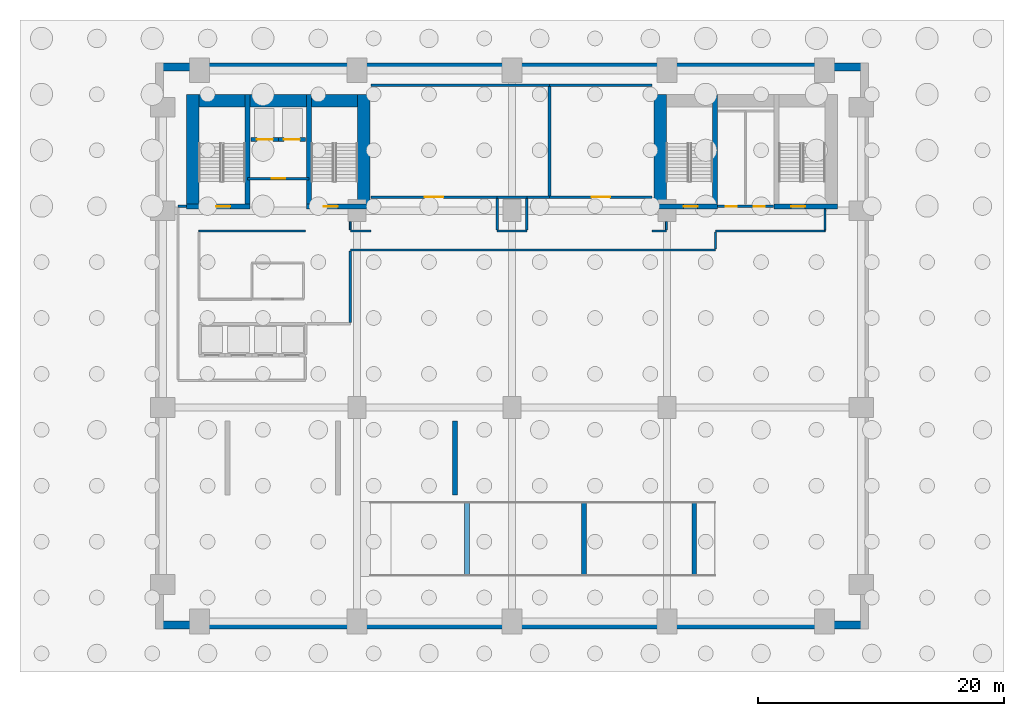
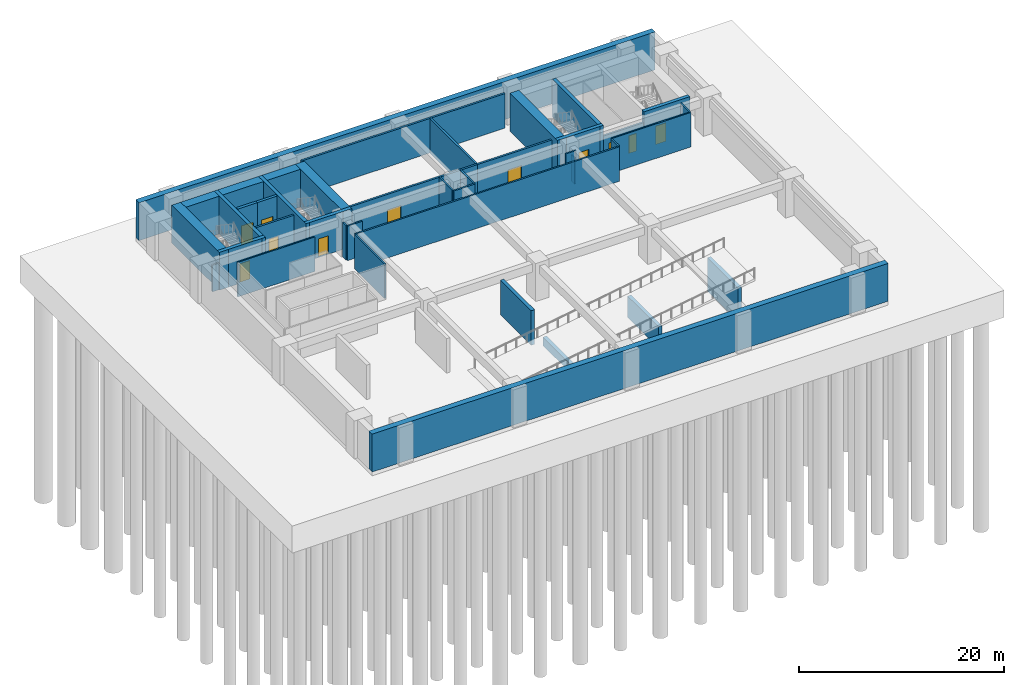
# One storey, part 3 of 8: 42 walls, 11 doors, 11 openings.
"""IFC4 building model written with IfcOpenShell, lengths in metres."""

from ifc_helpers import new_model, si_unit, direction, frame, frame_2d, origin, place, context, subcontext, project, spatial, rectangle, extrude, material, layer, layer_set, type_object, element, fill, save


model = new_model("IFC4")

# Units and contexts
model_context = context("Model", 3, precision=1e-05, world=origin(), true_north=direction((0.0, 1.0)))
body_context = subcontext(model_context, "Body", "Model", "MODEL_VIEW")
ifc_project = project(units=[si_unit("LENGTHUNIT", "METRE"), si_unit("AREAUNIT", "SQUARE_METRE"), si_unit("VOLUMEUNIT", "CUBIC_METRE"), si_unit("PLANEANGLEUNIT", "RADIAN"), si_unit("MASSUNIT", "GRAM", prefix="KILO")], contexts=[model_context])

# Site, building, storey
site_placement = place(None, origin())
site = spatial("IfcSite", under=ifc_project, at=site_placement, CompositionType="ELEMENT")
building_placement = place(site_placement, origin())
building = spatial("IfcBuilding", under=site, at=building_placement, Name="Sulina Concourse Tower", CompositionType="ELEMENT")
storey_placement = place(building_placement, frame((0.0, 0.0, -9.0)))
storey = spatial("IfcBuildingStorey", under=building, at=storey_placement, Name="B2", CompositionType="ELEMENT", Elevation=-9.0)

# Walls
ifc_material_1 = material(Name="Concrete C50/60", Category="concrete")
ifc_layer_1 = layer(ifc_material_1, 0.64990234375)
ifc_layer_set_1 = layer_set([ifc_layer_1], Name="Concrete C50/60")
wall_type_1 = type_object("IfcWallType", Name="Basement Perimeter Retaining Wall 650mm", PredefinedType="SOLIDWALL", material=ifc_layer_set_1)
for number, where, z_axis, x_axis, name in (
    (1, (58.0, 0.324951171875, 0.0), (0.0, 0.0, 1.0), (-1.0, 0.0, 0.0), "B2 basement retaining wall RW-S"),
    (2, (0.0, 45.675048828125, 0.0), (0.0, 0.0, 1.0), (1.0, 0.0, 0.0), "B2 basement retaining wall RW-N"),
):
    element("IfcWall", number, at=place(storey_placement, frame(where, z_axis=z_axis, x_axis=x_axis)), inside=storey, type_object=wall_type_1, Name=name, PredefinedType="SOLIDWALL", context=body_context, shape_type="SweptSolid", body=[
        extrude(rectangle(XDim=58.0, YDim=0.64990234375, at=frame_2d((29.0, 0.0))), origin(), (0.0, 0.0, 1.0), 4.5),
    ])

# Wall, opening, door
ifc_material_2 = material(Name="Concrete C50/60", Category="concrete")
ifc_layer_2 = layer(ifc_material_2, 0.300048828125)
ifc_layer_set_2 = layer_set([ifc_layer_2], Name="Concrete C50/60")
wall_type_2 = type_object("IfcWallType", Name="Core Lift Hoistway Wall 300mm", PredefinedType="SOLIDWALL", material=ifc_layer_set_2)
wall_1_placement = place(storey_placement, frame((10.0, 39.780029296875, 0.0), z_axis=(0.0, 0.0, 1.0), x_axis=(-1.0, 0.0, 0.0)))
wall_1 = element("IfcWall", 3, at=wall_1_placement, inside=storey, type_object=wall_type_2, Name="B2 hoistway enclosure wall FFL-1", PredefinedType="SOLIDWALL", context=body_context, shape_type="SweptSolid", body=[
    extrude(rectangle(XDim=2.199951171875, YDim=0.300048828125, at=frame_2d((1.10009765625, 0.0))), origin(), (0.0, 0.0, 1.0), 4.5),
])
opening_1_placement = place(wall_1_placement, frame((0.449951171875, 0.0, 0.0)))
opening_1 = element("IfcOpeningElement", 4, at=opening_1_placement, cuts=wall_1, Name="Opening LD-02", PredefinedType="OPENING", context=body_context, shape_type="SweptSolid", body=[
    extrude(rectangle(XDim=1.300048828125, YDim=2.25, at=frame_2d((0.64990234375, 1.125))), frame((0.0, 0.159912109375, 0.0), z_axis=(0.0, -1.0, 0.0), x_axis=(1.0, 0.0, 0.0)), (0.0, 0.0, 1.0), 0.320068359375),
])
ifc_material_3 = material(Name="Stainless steel lift landing door", Category="steel")
ifc_layer_3 = layer(ifc_material_3, 0.050048828125)
ifc_layer_set_3 = layer_set([ifc_layer_3], Name="Stainless steel lift landing door")
door_type_1 = type_object("IfcDoorType", Name="Firefighting Lift Sliding Landing Door 1300x2250", OperationType="SLIDING_TO_RIGHT", PredefinedType="DOOR", material=ifc_layer_set_3)
door_1_placement = place(opening_1_placement, origin())
door_1 = element("IfcDoor", 5, at=door_1_placement, inside=storey, type_object=door_type_1, Name="B2 lift landing sliding door FFL-1", OperationType="SLIDING_TO_LEFT", OverallHeight=2.25, OverallWidth=1.300048828125, PredefinedType="DOOR", context=body_context, shape_type="SweptSolid", body=[
    extrude(rectangle(XDim=1.300048828125, YDim=2.25, at=frame_2d((0.64990234375, 1.125))), frame((0.0, 0.02490234375, 0.0), z_axis=(0.0, -1.0, 0.0), x_axis=(1.0, 0.0, 0.0)), (0.0, 0.0, 1.0), 0.050048828125),
])
fill(opening_1, door_1)

wall_2_placement = place(storey_placement, frame((12.199951171875, 39.780029296875, 0.0), z_axis=(0.0, 0.0, 1.0), x_axis=(-1.0, 0.0, 0.0)))
wall_2 = element("IfcWall", 6, at=wall_2_placement, inside=storey, type_object=wall_type_2, Name="B2 hoistway enclosure wall FFL-2", PredefinedType="SOLIDWALL", context=body_context, shape_type="SweptSolid", body=[
    extrude(rectangle(XDim=2.199951171875, YDim=0.300048828125, at=frame_2d((1.10009765625, 0.0))), origin(), (0.0, 0.0, 1.0), 4.5),
])
opening_2_placement = place(wall_2_placement, frame((0.449951171875, 0.0, 0.0)))
opening_2 = element("IfcOpeningElement", 7, at=opening_2_placement, cuts=wall_2, Name="Opening LD-02", PredefinedType="OPENING", context=body_context, shape_type="SweptSolid", body=[
    extrude(rectangle(XDim=1.300048828125, YDim=2.25, at=frame_2d((0.64990234375, 1.125))), frame((0.0, 0.159912109375, 0.0), z_axis=(0.0, -1.0, 0.0), x_axis=(1.0, 0.0, 0.0)), (0.0, 0.0, 1.0), 0.320068359375),
])
door_2_placement = place(opening_2_placement, origin())
door_2 = element("IfcDoor", 8, at=door_2_placement, inside=storey, type_object=door_type_1, Name="B2 lift landing sliding door FFL-2", OperationType="SLIDING_TO_RIGHT", OverallHeight=2.25, OverallWidth=1.300048828125, PredefinedType="DOOR", context=body_context, shape_type="SweptSolid", body=[
    extrude(rectangle(XDim=1.300048828125, YDim=2.25, at=frame_2d((0.64990234375, 1.125))), frame((0.0, 0.02490234375, 0.0), z_axis=(0.0, -1.0, 0.0), x_axis=(1.0, 0.0, 0.0)), (0.0, 0.0, 1.0), 0.050048828125),
])
fill(opening_2, door_2)

ifc_material_4 = material(Name="Gypsum board on steel stud", Category="steel")
ifc_layer_4 = layer(ifc_material_4, 0.219970703125)
ifc_layer_set_4 = layer_set([ifc_layer_4], Name="Gypsum board on steel stud")
wall_type_3 = type_object("IfcWallType", Name="Fire-Rated Lobby & Compartment Wall 220mm", PredefinedType="PARTITIONING", material=ifc_layer_set_4)
wall_3_placement = place(storey_placement, frame((7.510009765625, 36.60009765625, 0.0), z_axis=(0.0, 0.0, 1.0), x_axis=(1.0, 0.0, 0.0)))
wall_3 = element("IfcWall", 9, at=wall_3_placement, inside=storey, type_object=wall_type_3, Name="B2 firefighting lobby south fire wall", PredefinedType="PARTITIONING", context=body_context, shape_type="SweptSolid", body=[
    extrude(rectangle(XDim=4.97998046875, YDim=0.219970703125, at=frame_2d((2.489990234375, 0.0))), origin(), (0.0, 0.0, 1.0), 4.10009765625),
])
opening_3_placement = place(wall_3_placement, frame((1.93994140625, 0.0, 0.0)))
opening_3 = element("IfcOpeningElement", 10, at=opening_3_placement, cuts=wall_3, Name="Opening DR-47", PredefinedType="OPENING", context=body_context, shape_type="SweptSolid", body=[
    extrude(rectangle(XDim=1.10009765625, YDim=2.199951171875, at=frame_2d((0.550048828125, 1.10009765625))), frame((0.0, 0.119873046875, 0.0), z_axis=(0.0, -1.0, 0.0), x_axis=(1.0, 0.0, 0.0)), (0.0, 0.0, 1.0), 0.239990234375),
])
ifc_material_5 = material(Name="Galvanised steel acoustic fire leaf", Category="steel")
ifc_layer_5 = layer(ifc_material_5, 0.054931640625)
ifc_layer_set_5 = layer_set([ifc_layer_5], Name="Galvanised steel acoustic fire leaf")
door_type_2 = type_object("IfcDoorType", Name="Firefighting Lobby Fire Door 1100x2200", OperationType="NOTDEFINED", PredefinedType="DOOR", material=ifc_layer_set_5)
door_3_placement = place(opening_3_placement, origin())
door_3 = element("IfcDoor", 11, at=door_3_placement, inside=storey, type_object=door_type_2, Name="B2 firefighting lobby fire door", OperationType="SINGLE_SWING_LEFT", OverallHeight=2.199951171875, OverallWidth=1.10009765625, PredefinedType="DOOR", context=body_context, shape_type="SweptSolid", body=[
    extrude(rectangle(XDim=1.10009765625, YDim=2.199951171875, at=frame_2d((0.550048828125, 1.10009765625))), frame((0.0, 0.02490234375, 0.0), z_axis=(0.0, -1.0, 0.0), x_axis=(1.0, 0.0, 0.0)), (0.0, 0.0, 1.0), 0.050048828125),
])
fill(opening_3, door_3)

# Wall, openings, doors
wall_4_placement = place(storey_placement, frame((45.719970703125, 34.35009765625, 0.0), z_axis=(0.0, 0.0, 1.0), x_axis=(1.0, 0.0, 0.0)))
wall_4 = element("IfcWall", 12, at=wall_4_placement, inside=storey, type_object=wall_type_3, Name="B2 east core south lobby wall", PredefinedType="PARTITIONING", context=body_context, shape_type="SweptSolid", body=[
    extrude(rectangle(XDim=4.56005859375, YDim=0.219970703125, at=frame_2d((2.280029296875, 0.0))), origin(), (0.0, 0.0, 1.0), 3.14501953125),
])
opening_4_placement = place(wall_4_placement, frame((0.64990234375, 0.0, 0.0)))
opening_4 = element("IfcOpeningElement", 13, at=opening_4_placement, cuts=wall_4, Name="Opening DR-61", PredefinedType="OPENING", context=body_context, shape_type="SweptSolid", body=[
    extrude(rectangle(XDim=0.919921875, YDim=2.10009765625, at=frame_2d((0.4599609375, 1.050048828125))), frame((0.0, 0.119873046875, 0.0), z_axis=(0.0, -1.0, 0.0), x_axis=(1.0, 0.0, 0.0)), (0.0, 0.0, 1.0), 0.239990234375),
])
opening_5_placement = place(wall_4_placement, frame((2.949951171875, 0.0, 0.0)))
opening_5 = element("IfcOpeningElement", 14, at=opening_5_placement, cuts=wall_4, Name="Opening DR-38", PredefinedType="OPENING", context=body_context, shape_type="SweptSolid", body=[
    extrude(rectangle(XDim=0.8798828125, YDim=2.10009765625, at=frame_2d((0.43994140625, 1.050048828125))), frame((0.0, 0.119873046875, 0.0), z_axis=(0.0, -1.0, 0.0), x_axis=(1.0, 0.0, 0.0)), (0.0, 0.0, 1.0), 0.239990234375),
])
ifc_material_6 = material(Name="Oak-veneered fire door leaf")
ifc_layer_6 = layer(ifc_material_6, 0.050048828125)
ifc_layer_set_6 = layer_set([ifc_layer_6], Name="Oak-veneered fire door leaf")
door_type_3 = type_object("IfcDoorType", Name="Accessible WC Door 920x2100", OperationType="NOTDEFINED", PredefinedType="DOOR", material=ifc_layer_set_6)
door_4_placement = place(opening_4_placement, origin())
door_4 = element("IfcDoor", 15, at=door_4_placement, inside=storey, type_object=door_type_3, Name="B2 east core accessible wc door", OperationType="SINGLE_SWING_LEFT", OverallHeight=2.10009765625, OverallWidth=0.919921875, PredefinedType="DOOR", context=body_context, shape_type="SweptSolid", body=[
    extrude(rectangle(XDim=0.919921875, YDim=2.10009765625, at=frame_2d((0.4599609375, 1.050048828125))), frame((0.0, 0.02490234375, 0.0), z_axis=(0.0, -1.0, 0.0), x_axis=(1.0, 0.0, 0.0)), (0.0, 0.0, 1.0), 0.050048828125),
])
fill(opening_4, door_4)
ifc_material_7 = material(Name="Galvanised steel acoustic fire leaf", Category="steel")
ifc_layer_7 = layer(ifc_material_7, 0.050048828125)
ifc_layer_set_7 = layer_set([ifc_layer_7], Name="Galvanised steel acoustic fire leaf")
door_type_4 = type_object("IfcDoorType", Name="Service Riser Fire Door 880x2100", OperationType="NOTDEFINED", PredefinedType="DOOR", material=ifc_layer_set_7)
door_5_placement = place(opening_5_placement, origin())
door_5 = element("IfcDoor", 16, at=door_5_placement, inside=storey, type_object=door_type_4, Name="B2 east core store door", OperationType="SINGLE_SWING_RIGHT", OverallHeight=2.10009765625, OverallWidth=0.8798828125, PredefinedType="DOOR", context=body_context, shape_type="SweptSolid", body=[
    extrude(rectangle(XDim=0.8798828125, YDim=2.10009765625, at=frame_2d((0.43994140625, 1.050048828125))), frame((0.0, 0.02490234375, 0.0), z_axis=(0.0, -1.0, 0.0), x_axis=(1.0, 0.0, 0.0)), (0.0, 0.0, 1.0), 0.050048828125),
])
fill(opening_5, door_5)

# Wall, opening, door
wall_5_placement = place(storey_placement, frame((17.550048828125, 35.10009765625, 0.0), z_axis=(0.0, 0.0, 1.0), x_axis=(1.0, 0.0, 0.0)))
wall_5 = element("IfcWall", 17, at=wall_5_placement, inside=storey, type_object=wall_type_3, Name="B2 interior partition 014", PredefinedType="PARTITIONING", context=body_context, shape_type="SweptSolid", body=[
    extrude(rectangle(XDim=10.25, YDim=0.219970703125, at=frame_2d((5.125, 0.0))), origin(), (0.0, 0.0, 1.0), 4.10009765625),
])
opening_6_placement = place(wall_5_placement, frame((4.375, 0.0, 0.0)))
opening_6 = element("IfcOpeningElement", 18, at=opening_6_placement, cuts=wall_5, Name="Opening DR-80", PredefinedType="OPENING", context=body_context, shape_type="SweptSolid", body=[
    extrude(rectangle(XDim=1.5, YDim=2.25, at=frame_2d((0.75, 1.125))), frame((0.0, 0.119873046875, 0.0), z_axis=(0.0, -1.0, 0.0), x_axis=(1.0, 0.0, 0.0)), (0.0, 0.0, 1.0), 0.239990234375),
])
ifc_material_8 = material(Name="Galvanised steel acoustic fire leaf", Category="steel")
ifc_layer_8 = layer(ifc_material_8, 0.054931640625)
ifc_layer_set_8 = layer_set([ifc_layer_8], Name="Galvanised steel acoustic fire leaf")
door_type_5 = type_object("IfcDoorType", Name="Mechanical Plant Double Fire Door 1500x2250", OperationType="DOUBLE_DOOR_SINGLE_SWING", PredefinedType="DOOR", material=ifc_layer_set_8)
door_6_placement = place(opening_6_placement, origin())
door_6 = element("IfcDoor", 19, at=door_6_placement, inside=storey, type_object=door_type_5, Name="B2 interior door B2-PLT-WT", OperationType="DOUBLE_DOOR_SINGLE_SWING", OverallHeight=2.25, OverallWidth=1.5, PredefinedType="DOOR", context=body_context, shape_type="SweptSolid", body=[
    extrude(rectangle(XDim=1.5, YDim=2.25, at=frame_2d((0.75, 1.125))), frame((0.0, 0.02490234375, 0.0), z_axis=(0.0, -1.0, 0.0), x_axis=(1.0, 0.0, 0.0)), (0.0, 0.0, 1.0), 0.050048828125),
])
fill(opening_6, door_6)

# Walls
wall_6_placement = place(storey_placement, frame((27.800048828125, 35.10009765625, 0.0), z_axis=(0.0, 0.0, 1.0), x_axis=(1.0, 0.0, 0.0)))
element("IfcWall", 20, at=wall_6_placement, inside=storey, type_object=wall_type_3, Name="B2 interior partition 015", PredefinedType="PARTITIONING", context=body_context, shape_type="SweptSolid", body=[
    extrude(rectangle(XDim=2.39990234375, YDim=0.219970703125, at=frame_2d((1.199951171875, 0.0))), origin(), (0.0, 0.0, 1.0), 4.10009765625),
])
wall_7_placement = place(storey_placement, frame((30.199951171875, 35.10009765625, 0.0), z_axis=(0.0, 0.0, 1.0), x_axis=(1.0, 0.0, 0.0)))
element("IfcWall", 21, at=wall_7_placement, inside=storey, type_object=wall_type_3, Name="B2 interior partition 016", PredefinedType="PARTITIONING", context=body_context, shape_type="SweptSolid", body=[
    extrude(rectangle(XDim=1.85009765625, YDim=0.219970703125, at=frame_2d((0.925048828125, 0.0))), origin(), (0.0, 0.0, 1.0), 4.10009765625),
])

# Wall, opening, door
wall_8_placement = place(storey_placement, frame((32.050048828125, 35.10009765625, 0.0), z_axis=(0.0, 0.0, 1.0), x_axis=(1.0, 0.0, 0.0)))
wall_8 = element("IfcWall", 22, at=wall_8_placement, inside=storey, type_object=wall_type_3, Name="B2 interior partition 017", PredefinedType="PARTITIONING", context=body_context, shape_type="SweptSolid", body=[
    extrude(rectangle(XDim=8.349853515625, YDim=0.219970703125, at=frame_2d((4.1748046875, 0.0))), origin(), (0.0, 0.0, 1.0), 4.10009765625),
])
opening_7_placement = place(wall_8_placement, frame((3.425048828125, 0.0, 0.0)))
opening_7 = element("IfcOpeningElement", 23, at=opening_7_placement, cuts=wall_8, Name="Opening DR-80", PredefinedType="OPENING", context=body_context, shape_type="SweptSolid", body=[
    extrude(rectangle(XDim=1.5, YDim=2.25, at=frame_2d((0.75, 1.125))), frame((0.0, 0.119873046875, 0.0), z_axis=(0.0, -1.0, 0.0), x_axis=(1.0, 0.0, 0.0)), (0.0, 0.0, 1.0), 0.239990234375),
])
door_7_placement = place(opening_7_placement, origin())
door_7 = element("IfcDoor", 24, at=door_7_placement, inside=storey, type_object=door_type_5, Name="B2 interior door B2-PLT-PMP", OperationType="DOUBLE_DOOR_SINGLE_SWING", OverallHeight=2.25, OverallWidth=1.5, PredefinedType="DOOR", context=body_context, shape_type="SweptSolid", body=[
    extrude(rectangle(XDim=1.5, YDim=2.25, at=frame_2d((0.75, 1.125))), frame((0.0, 0.02490234375, 0.0), z_axis=(0.0, -1.0, 0.0), x_axis=(1.0, 0.0, 0.0)), (0.0, 0.0, 1.0), 0.050048828125),
])
fill(opening_7, door_7)

# Walls
wall_9_placement = place(storey_placement, frame((17.550048828125, 44.199951171875, 0.0), z_axis=(0.0, 0.0, 1.0), x_axis=(1.0, 0.0, 0.0)))
element("IfcWall", 25, at=wall_9_placement, inside=storey, type_object=wall_type_3, Name="B2 interior partition 020", PredefinedType="PARTITIONING", context=body_context, shape_type="SweptSolid", body=[
    extrude(rectangle(XDim=14.5, YDim=0.219970703125, at=frame_2d((7.25, 0.0))), origin(), (0.0, 0.0, 1.0), 4.10009765625),
])
wall_10_placement = place(storey_placement, frame((32.050048828125, 44.199951171875, 0.0), z_axis=(0.0, 0.0, 1.0), x_axis=(1.0, 0.0, 0.0)))
element("IfcWall", 26, at=wall_10_placement, inside=storey, type_object=wall_type_3, Name="B2 interior partition 021", PredefinedType="PARTITIONING", context=body_context, shape_type="SweptSolid", body=[
    extrude(rectangle(XDim=8.349853515625, YDim=0.219970703125, at=frame_2d((4.1748046875, 0.0))), origin(), (0.0, 0.0, 1.0), 4.10009765625),
])
wall_11_placement = place(storey_placement, frame((32.050048828125, 35.2099609375, 0.0), z_axis=(0.0, 0.0, 1.0), x_axis=(0.0, 1.0, 0.0)))
element("IfcWall", 27, at=wall_11_placement, inside=storey, type_object=wall_type_3, Name="B2 interior partition 031", PredefinedType="PARTITIONING", context=body_context, shape_type="SweptSolid", body=[
    extrude(rectangle(XDim=8.880126953125, YDim=0.219970703125, at=frame_2d((4.43994140625, 0.0))), origin(), (0.0, 0.0, 1.0), 4.10009765625),
])
ifc_material_9 = material(Name="Gypsum board on steel stud", Category="steel")
ifc_layer_9 = layer(ifc_material_9, 0.14990234375)
ifc_layer_set_9 = layer_set([ifc_layer_9], Name="Gypsum board on steel stud")
wall_type_4 = type_object("IfcWallType", Name="Inter-Tenancy Acoustic Partition 150mm", PredefinedType="PARTITIONING", material=ifc_layer_set_9)
wall_12_placement = place(storey_placement, frame((3.550048828125, 32.35009765625, 0.0), z_axis=(0.0, 0.0, 1.0), x_axis=(1.0, 0.0, 0.0)))
element("IfcWall", 28, at=wall_12_placement, inside=storey, type_object=wall_type_4, Name="B2 interior partition 008", PredefinedType="PARTITIONING", context=body_context, shape_type="SweptSolid", body=[
    extrude(rectangle(XDim=8.64990234375, YDim=0.14990234375, at=frame_2d((4.324951171875, 0.0))), origin(), (0.0, 0.0, 1.0), 4.10009765625),
])
wall_13_placement = place(storey_placement, frame((45.550048828125, 32.35009765625, 0.0), z_axis=(0.0, 0.0, 1.0), x_axis=(1.0, 0.0, 0.0)))
element("IfcWall", 29, at=wall_13_placement, inside=storey, type_object=wall_type_4, Name="B2 interior partition 012", PredefinedType="PARTITIONING", context=body_context, shape_type="SweptSolid", body=[
    extrude(rectangle(XDim=8.89990234375, YDim=0.14990234375, at=frame_2d((4.449951171875, 0.0))), origin(), (0.0, 0.0, 1.0), 4.10009765625),
])
wall_14_placement = place(storey_placement, frame((15.85009765625, 32.43994140625, 0.0), z_axis=(0.0, 0.0, 1.0), x_axis=(0.0, 1.0, 0.0)))
element("IfcWall", 30, at=wall_14_placement, inside=storey, type_object=wall_type_4, Name="B2 interior partition 028", PredefinedType="PARTITIONING", context=body_context, shape_type="SweptSolid", body=[
    extrude(rectangle(XDim=0.66015625, YDim=0.14990234375, at=frame_2d((0.330078125, 0.0))), origin(), (0.0, 0.0, 1.0), 4.10009765625),
])
wall_15_placement = place(storey_placement, frame((41.550048828125, 32.43994140625, 0.0), z_axis=(0.0, 0.0, 1.0), x_axis=(0.0, 1.0, 0.0)))
element("IfcWall", 31, at=wall_15_placement, inside=storey, type_object=wall_type_4, Name="B2 interior partition 032", PredefinedType="PARTITIONING", context=body_context, shape_type="SweptSolid", body=[
    extrude(rectangle(XDim=0.66015625, YDim=0.14990234375, at=frame_2d((0.330078125, 0.0))), origin(), (0.0, 0.0, 1.0), 3.14501953125),
])
wall_16_placement = place(storey_placement, frame((54.449951171875, 32.425048828125, 0.0), z_axis=(0.0, 0.0, 1.0), x_axis=(0.0, 1.0, 0.0)))
element("IfcWall", 32, at=wall_16_placement, inside=storey, type_object=wall_type_4, Name="B2 interior partition 035", PredefinedType="PARTITIONING", context=body_context, shape_type="SweptSolid", body=[
    extrude(rectangle(XDim=1.724853515625, YDim=0.14990234375, at=frame_2d((0.8623046875, 0.0))), origin(), (0.0, 0.0, 1.0), 4.10009765625),
])
ifc_material_10 = material(Name="Gypsum board on steel stud", Category="steel")
ifc_layer_10 = layer(ifc_material_10, 0.179931640625)
ifc_layer_set_10 = layer_set([ifc_layer_10], Name="Gypsum board on steel stud")
wall_type_5 = type_object("IfcWallType", Name="Protected Corridor & Riser Partition 180mm", PredefinedType="PARTITIONING", material=ifc_layer_set_10)
wall_17_placement = place(storey_placement, frame((15.85009765625, 30.800048828125, 0.0), z_axis=(0.0, 0.0, 1.0), x_axis=(1.0, 0.0, 0.0)))
element("IfcWall", 33, at=wall_17_placement, inside=storey, type_object=wall_type_5, Name="B2 interior partition 007", PredefinedType="PARTITIONING", context=body_context, shape_type="SweptSolid", body=[
    extrude(rectangle(XDim=29.699951171875, YDim=0.179931640625, at=frame_2d((14.85009765625, 0.0))), origin(), (0.0, 0.0, 1.0), 4.10009765625),
])
wall_18_placement = place(storey_placement, frame((15.85009765625, 32.35009765625, 0.0), z_axis=(0.0, 0.0, 1.0), x_axis=(1.0, 0.0, 0.0)))
element("IfcWall", 34, at=wall_18_placement, inside=storey, type_object=wall_type_5, Name="B2 interior partition 009", PredefinedType="PARTITIONING", context=body_context, shape_type="SweptSolid", body=[
    extrude(rectangle(XDim=1.699951171875, YDim=0.179931640625, at=frame_2d((0.85009765625, 0.0))), origin(), (0.0, 0.0, 1.0), 4.10009765625),
])
wall_19_placement = place(storey_placement, frame((27.800048828125, 32.35009765625, 0.0), z_axis=(0.0, 0.0, 1.0), x_axis=(1.0, 0.0, 0.0)))
element("IfcWall", 35, at=wall_19_placement, inside=storey, type_object=wall_type_5, Name="B2 interior partition 010", PredefinedType="PARTITIONING", context=body_context, shape_type="SweptSolid", body=[
    extrude(rectangle(XDim=2.39990234375, YDim=0.179931640625, at=frame_2d((1.199951171875, 0.0))), origin(), (0.0, 0.0, 1.0), 4.10009765625),
])
wall_20_placement = place(storey_placement, frame((40.39990234375, 32.35009765625, 0.0), z_axis=(0.0, 0.0, 1.0), x_axis=(1.0, 0.0, 0.0)))
element("IfcWall", 36, at=wall_20_placement, inside=storey, type_object=wall_type_5, Name="B2 interior partition 011", PredefinedType="PARTITIONING", context=body_context, shape_type="SweptSolid", body=[
    extrude(rectangle(XDim=1.150146484375, YDim=0.179931640625, at=frame_2d((0.5751953125, 0.0))), origin(), (0.0, 0.0, 1.0), 4.10009765625),
])
wall_21_placement = place(storey_placement, frame((1.85009765625, 34.35009765625, 0.0), z_axis=(0.0, 0.0, 1.0), x_axis=(1.0, 0.0, 0.0)))
element("IfcWall", 37, at=wall_21_placement, inside=storey, type_object=wall_type_5, Name="B2 interior partition 013", PredefinedType="PARTITIONING", context=body_context, shape_type="SweptSolid", body=[
    extrude(rectangle(XDim=0.699951171875, YDim=0.179931640625, at=frame_2d((0.35009765625, 0.0))), origin(), (0.0, 0.0, 1.0), 3.14501953125),
])
wall_22_placement = place(storey_placement, frame((15.85009765625, 24.889892578125, 0.0), z_axis=(0.0, 0.0, 1.0), x_axis=(0.0, 1.0, 0.0)))
element("IfcWall", 38, at=wall_22_placement, inside=storey, type_object=wall_type_5, Name="B2 interior partition 027", PredefinedType="PARTITIONING", context=body_context, shape_type="SweptSolid", body=[
    extrude(rectangle(XDim=5.820068359375, YDim=0.179931640625, at=frame_2d((2.91015625, 0.0))), origin(), (0.0, 0.0, 1.0), 4.10009765625),
])
for number, where, z_axis, x_axis, name in (
    (39, (27.800048828125, 32.43994140625, 0.0), (0.0, 0.0, 1.0), (0.0, 1.0, 0.0), "B2 interior partition 029"),
    (40, (30.199951171875, 32.43994140625, 0.0), (0.0, 0.0, 1.0), (0.0, 1.0, 0.0), "B2 interior partition 030"),
):
    element("IfcWall", number, at=place(storey_placement, frame(where, z_axis=z_axis, x_axis=x_axis)), inside=storey, type_object=wall_type_5, Name=name, PredefinedType="PARTITIONING", context=body_context, shape_type="SweptSolid", body=[
        extrude(rectangle(XDim=2.550048828125, YDim=0.179931640625, at=frame_2d((1.27490234375, 0.0))), origin(), (0.0, 0.0, 1.0), 4.10009765625),
    ])
wall_23_placement = place(storey_placement, frame((45.550048828125, 30.889892578125, 0.0), z_axis=(0.0, 0.0, 1.0), x_axis=(0.0, 1.0, 0.0)))
element("IfcWall", 41, at=wall_23_placement, inside=storey, type_object=wall_type_5, Name="B2 interior partition 033", PredefinedType="PARTITIONING", context=body_context, shape_type="SweptSolid", body=[
    extrude(rectangle(XDim=1.385009765625, YDim=0.179931640625, at=frame_2d((0.6923828125, 0.0))), origin(), (0.0, 0.0, 1.0), 4.10009765625),
])

# Wall, opening, door
ifc_material_11 = material(Name="Concrete C60/75", Category="concrete")
ifc_layer_11 = layer(ifc_material_11, 0.39990234375)
ifc_layer_set_11 = layer_set([ifc_layer_11], Name="Concrete C60/75")
wall_type_6 = type_object("IfcWallType", Name="Protected Stair Core Shear Wall 400mm", PredefinedType="SHEAR", material=ifc_layer_set_11)
wall_24_placement = place(storey_placement, frame((2.550048828125, 34.35009765625, 0.0), z_axis=(0.0, 0.0, 1.0), x_axis=(1.0, 0.0, 0.0)))
wall_24 = element("IfcWall", 42, at=wall_24_placement, inside=storey, type_object=wall_type_6, Name="B2 west core shear wall CW-WS1", PredefinedType="SHEAR", context=body_context, shape_type="SweptSolid", body=[
    extrude(rectangle(XDim=5.159912109375, YDim=0.39990234375, at=frame_2d((2.580078125, 0.0))), origin(), (0.0, 0.0, 1.0), 4.5),
])
opening_8_placement = place(wall_24_placement, frame((2.39990234375, 0.0, 0.0)))
opening_8 = element("IfcOpeningElement", 43, at=opening_8_placement, cuts=wall_24, Name="Opening DR-60", PredefinedType="OPENING", context=body_context, shape_type="SweptSolid", body=[
    extrude(rectangle(XDim=1.14990234375, YDim=2.199951171875, at=frame_2d((0.574951171875, 1.10009765625))), frame((0.0, 0.2099609375, 0.0), z_axis=(0.0, -1.0, 0.0), x_axis=(1.0, 0.0, 0.0)), (0.0, 0.0, 1.0), 0.419921875),
])
ifc_material_12 = material(Name="Galvanised steel acoustic fire leaf", Category="steel")
ifc_layer_12 = layer(ifc_material_12, 0.054931640625)
ifc_layer_set_12 = layer_set([ifc_layer_12], Name="Galvanised steel acoustic fire leaf")
door_type_6 = type_object("IfcDoorType", Name="Protected Exit Stair Fire Door 1150x2200", OperationType="NOTDEFINED", PredefinedType="DOOR", material=ifc_layer_set_12)
door_8_placement = place(opening_8_placement, origin())
door_8 = element("IfcDoor", 44, at=door_8_placement, inside=storey, type_object=door_type_6, Name="B2 stair ST-1 lobby fire door", OperationType="SINGLE_SWING_LEFT", OverallHeight=2.199951171875, OverallWidth=1.14990234375, PredefinedType="DOOR", context=body_context, shape_type="SweptSolid", body=[
    extrude(rectangle(XDim=1.14990234375, YDim=2.199951171875, at=frame_2d((0.574951171875, 1.10009765625))), frame((0.0, 0.02490234375, 0.0), z_axis=(0.0, -1.0, 0.0), x_axis=(1.0, 0.0, 0.0)), (0.0, 0.0, 1.0), 0.050048828125),
])
fill(opening_8, door_8)

wall_25_placement = place(storey_placement, frame((12.2900390625, 34.35009765625, 0.0), z_axis=(0.0, 0.0, 1.0), x_axis=(1.0, 0.0, 0.0)))
wall_25 = element("IfcWall", 45, at=wall_25_placement, inside=storey, type_object=wall_type_6, Name="B2 west core shear wall CW-WS2", PredefinedType="SHEAR", context=body_context, shape_type="SweptSolid", body=[
    extrude(rectangle(XDim=5.159912109375, YDim=0.39990234375, at=frame_2d((2.580078125, 0.0))), origin(), (0.0, 0.0, 1.0), 4.5),
])
opening_9_placement = place(wall_25_placement, frame((1.39990234375, 0.0, 0.0)))
opening_9 = element("IfcOpeningElement", 46, at=opening_9_placement, cuts=wall_25, Name="Opening DR-60", PredefinedType="OPENING", context=body_context, shape_type="SweptSolid", body=[
    extrude(rectangle(XDim=1.14990234375, YDim=2.199951171875, at=frame_2d((0.574951171875, 1.10009765625))), frame((0.0, 0.2099609375, 0.0), z_axis=(0.0, -1.0, 0.0), x_axis=(1.0, 0.0, 0.0)), (0.0, 0.0, 1.0), 0.419921875),
])
door_9_placement = place(opening_9_placement, origin())
door_9 = element("IfcDoor", 47, at=door_9_placement, inside=storey, type_object=door_type_6, Name="B2 stair ST-2 lobby fire door", OperationType="SINGLE_SWING_RIGHT", OverallHeight=2.199951171875, OverallWidth=1.14990234375, PredefinedType="DOOR", context=body_context, shape_type="SweptSolid", body=[
    extrude(rectangle(XDim=1.14990234375, YDim=2.199951171875, at=frame_2d((0.574951171875, 1.10009765625))), frame((0.0, 0.02490234375, 0.0), z_axis=(0.0, -1.0, 0.0), x_axis=(1.0, 0.0, 0.0)), (0.0, 0.0, 1.0), 0.050048828125),
])
fill(opening_9, door_9)

# Walls
for number, where, z_axis, x_axis, name in (
    (48, (7.510009765625, 34.14990234375, 0.0), (0.0, 0.0, 1.0), (0.0, 1.0, 0.0), "B2 west core shear wall SW-ST1"),
    (49, (12.489990234375, 34.14990234375, 0.0), (0.0, 0.0, 1.0), (0.0, 1.0, 0.0), "B2 west core shear wall SW-ST2"),
):
    element("IfcWall", number, at=place(storey_placement, frame(where, z_axis=z_axis, x_axis=x_axis)), inside=storey, type_object=wall_type_6, Name=name, PredefinedType="SHEAR", context=body_context, shape_type="SweptSolid", body=[
        extrude(rectangle(XDim=9.280029296875, YDim=0.39990234375, at=frame_2d((4.64013671875, 0.0))), origin(), (0.0, 0.0, 1.0), 4.5),
    ])

# Wall, opening, door
wall_26_placement = place(storey_placement, frame((40.550048828125, 34.35009765625, 0.0), z_axis=(0.0, 0.0, 1.0), x_axis=(1.0, 0.0, 0.0)))
wall_26 = element("IfcWall", 50, at=wall_26_placement, inside=storey, type_object=wall_type_6, Name="B2 east core shear wall CW-ES1", PredefinedType="SHEAR", context=body_context, shape_type="SweptSolid", body=[
    extrude(rectangle(XDim=5.159912109375, YDim=0.39990234375, at=frame_2d((2.580078125, 0.0))), origin(), (0.0, 0.0, 1.0), 4.5),
])
opening_10_placement = place(wall_26_placement, frame((2.39990234375, 0.0, 0.0)))
opening_10 = element("IfcOpeningElement", 51, at=opening_10_placement, cuts=wall_26, Name="Opening DR-60", PredefinedType="OPENING", context=body_context, shape_type="SweptSolid", body=[
    extrude(rectangle(XDim=1.14990234375, YDim=2.199951171875, at=frame_2d((0.574951171875, 1.10009765625))), frame((0.0, 0.2099609375, 0.0), z_axis=(0.0, -1.0, 0.0), x_axis=(1.0, 0.0, 0.0)), (0.0, 0.0, 1.0), 0.419921875),
])
door_10_placement = place(opening_10_placement, origin())
door_10 = element("IfcDoor", 52, at=door_10_placement, inside=storey, type_object=door_type_6, Name="B2 stair ST-3 south lobby fire door", OperationType="SINGLE_SWING_RIGHT", OverallHeight=2.199951171875, OverallWidth=1.14990234375, PredefinedType="DOOR", context=body_context, shape_type="SweptSolid", body=[
    extrude(rectangle(XDim=1.14990234375, YDim=2.199951171875, at=frame_2d((0.574951171875, 1.10009765625))), frame((0.0, 0.02490234375, 0.0), z_axis=(0.0, -1.0, 0.0), x_axis=(1.0, 0.0, 0.0)), (0.0, 0.0, 1.0), 0.050048828125),
])
fill(opening_10, door_10)

# Wall
wall_27_placement = place(storey_placement, frame((45.510009765625, 34.14990234375, 0.0), z_axis=(0.0, 0.0, 1.0), x_axis=(0.0, 1.0, 0.0)))
element("IfcWall", 53, at=wall_27_placement, inside=storey, type_object=wall_type_6, Name="B2 east core shear wall SW-ST3", PredefinedType="SHEAR", context=body_context, shape_type="SweptSolid", body=[
    extrude(rectangle(XDim=9.280029296875, YDim=0.39990234375, at=frame_2d((4.64013671875, 0.0))), origin(), (0.0, 0.0, 1.0), 4.5),
])

# Wall, opening, door
wall_28_placement = place(storey_placement, frame((50.2900390625, 34.35009765625, 0.0), z_axis=(0.0, 0.0, 1.0), x_axis=(1.0, 0.0, 0.0)))
wall_28 = element("IfcWall", 54, at=wall_28_placement, inside=storey, type_object=wall_type_6, Name="B2 east core shear wall CW-ES2", PredefinedType="SHEAR", context=body_context, shape_type="SweptSolid", body=[
    extrude(rectangle(XDim=5.159912109375, YDim=0.39990234375, at=frame_2d((2.580078125, 0.0))), origin(), (0.0, 0.0, 1.0), 4.5),
])
opening_11_placement = place(wall_28_placement, frame((1.39990234375, 0.0, 0.0)))
opening_11 = element("IfcOpeningElement", 55, at=opening_11_placement, cuts=wall_28, Name="Opening DR-60", PredefinedType="OPENING", context=body_context, shape_type="SweptSolid", body=[
    extrude(rectangle(XDim=1.14990234375, YDim=2.199951171875, at=frame_2d((0.574951171875, 1.10009765625))), frame((0.0, 0.2099609375, 0.0), z_axis=(0.0, -1.0, 0.0), x_axis=(1.0, 0.0, 0.0)), (0.0, 0.0, 1.0), 0.419921875),
])
door_11_placement = place(opening_11_placement, origin())
door_11 = element("IfcDoor", 56, at=door_11_placement, inside=storey, type_object=door_type_6, Name="B2 stair ST-4 south lobby fire door", OperationType="SINGLE_SWING_LEFT", OverallHeight=2.199951171875, OverallWidth=1.14990234375, PredefinedType="DOOR", context=body_context, shape_type="SweptSolid", body=[
    extrude(rectangle(XDim=1.14990234375, YDim=2.199951171875, at=frame_2d((0.574951171875, 1.10009765625))), frame((0.0, 0.02490234375, 0.0), z_axis=(0.0, -1.0, 0.0), x_axis=(1.0, 0.0, 0.0)), (0.0, 0.0, 1.0), 0.050048828125),
])
fill(opening_11, door_11)

# Walls
wall_29_placement = place(storey_placement, frame((25.340087890625, 4.300048828125, 0.0), z_axis=(0.0, 0.0, 1.0), x_axis=(0.0, 1.0, 0.0)))
element("IfcWall", 57, at=wall_29_placement, inside=storey, type_object=wall_type_6, Name="B2 vehicle ramp structural support wall 1", PredefinedType="SHEAR", context=body_context, shape_type="SweptSolid", body=[
    extrude(rectangle(XDim=6.0, YDim=0.39990234375, at=frame_2d((3.0, 0.0))), origin(), (0.0, 0.0, 1.0), 1.001708984375),
])
wall_30_placement = place(storey_placement, frame((34.860107421875, 4.300048828125, 0.0), z_axis=(0.0, 0.0, 1.0), x_axis=(0.0, 1.0, 0.0)))
element("IfcWall", 58, at=wall_30_placement, inside=storey, type_object=wall_type_6, Name="B2 vehicle ramp structural support wall 2", PredefinedType="SHEAR", context=body_context, shape_type="SweptSolid", body=[
    extrude(rectangle(XDim=6.0, YDim=0.39990234375, at=frame_2d((3.0, 0.0))), origin(), (0.0, 0.0, 1.0), 2.53173828125),
])
wall_31_placement = place(storey_placement, frame((43.820068359375, 4.300048828125, 0.0), z_axis=(0.0, 0.0, 1.0), x_axis=(0.0, 1.0, 0.0)))
element("IfcWall", 59, at=wall_31_placement, inside=storey, type_object=wall_type_6, Name="B2 vehicle ramp structural support wall 3", PredefinedType="SHEAR", context=body_context, shape_type="SweptSolid", body=[
    extrude(rectangle(XDim=6.0, YDim=0.39990234375, at=frame_2d((3.0, 0.0))), origin(), (0.0, 0.0, 1.0), 3.9716796875),
])
wall_32_placement = place(storey_placement, frame((24.360107421875, 10.89990234375, 0.0), z_axis=(0.0, 0.0, 1.0), x_axis=(0.0, 1.0, 0.0)))
element("IfcWall", 60, at=wall_32_placement, inside=storey, type_object=wall_type_6, Name="B2 sub-ramp structural transfer support wall 1", PredefinedType="SHEAR", context=body_context, shape_type="SweptSolid", body=[
    extrude(rectangle(XDim=6.0, YDim=0.39990234375, at=frame_2d((3.0, 0.0))), origin(), (0.0, 0.0, 1.0), 4.10009765625),
])
ifc_material_13 = material(Name="Concrete C80/95", Category="concrete")
ifc_layer_13 = layer(ifc_material_13, 1.0)
ifc_layer_set_13 = layer_set([ifc_layer_13], Name="Concrete C80/95")
wall_type_7 = type_object("IfcWallType", Name="Rear Core Shear Wall 1000mm", PredefinedType="SHEAR", material=ifc_layer_set_13)
wall_33_placement = place(storey_placement, frame((2.550048828125, 42.929931640625, 0.0), z_axis=(0.0, 0.0, 1.0), x_axis=(1.0, 0.0, 0.0)))
element("IfcWall", 61, at=wall_33_placement, inside=storey, type_object=wall_type_7, Name="B2 west core shear wall CW-WN", PredefinedType="SHEAR", context=body_context, shape_type="SweptSolid", body=[
    extrude(rectangle(XDim=14.89990234375, YDim=1.0, at=frame_2d((7.449951171875, 0.0))), origin(), (0.0, 0.0, 1.0), 4.5),
])
for number, where, z_axis, x_axis, name in (
    (62, (3.050048828125, 34.14990234375, 0.0), (0.0, 0.0, 1.0), (0.0, 1.0, 0.0), "B2 west core shear wall CW-WW"),
    (63, (16.949951171875, 34.14990234375, 0.0), (0.0, 0.0, 1.0), (0.0, 1.0, 0.0), "B2 west core shear wall CW-WE"),
    (64, (41.050048828125, 34.14990234375, 0.0), (0.0, 0.0, 1.0), (0.0, 1.0, 0.0), "B2 east core shear wall CW-EW"),
):
    element("IfcWall", number, at=place(storey_placement, frame(where, z_axis=z_axis, x_axis=x_axis)), inside=storey, type_object=wall_type_7, Name=name, PredefinedType="SHEAR", context=body_context, shape_type="SweptSolid", body=[
        extrude(rectangle(XDim=9.280029296875, YDim=1.0, at=frame_2d((4.64013671875, 0.0))), origin(), (0.0, 0.0, 1.0), 4.5),
    ])

save(model, "model.ifc")
